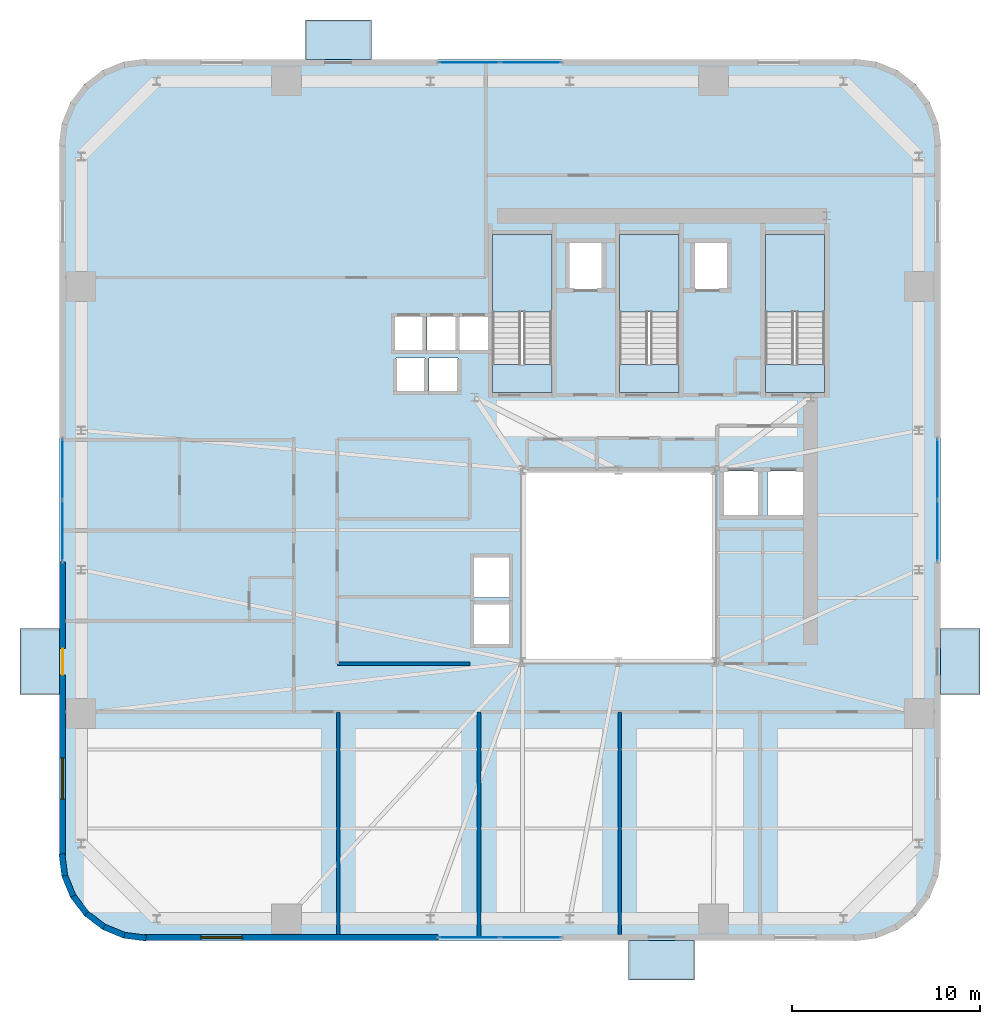
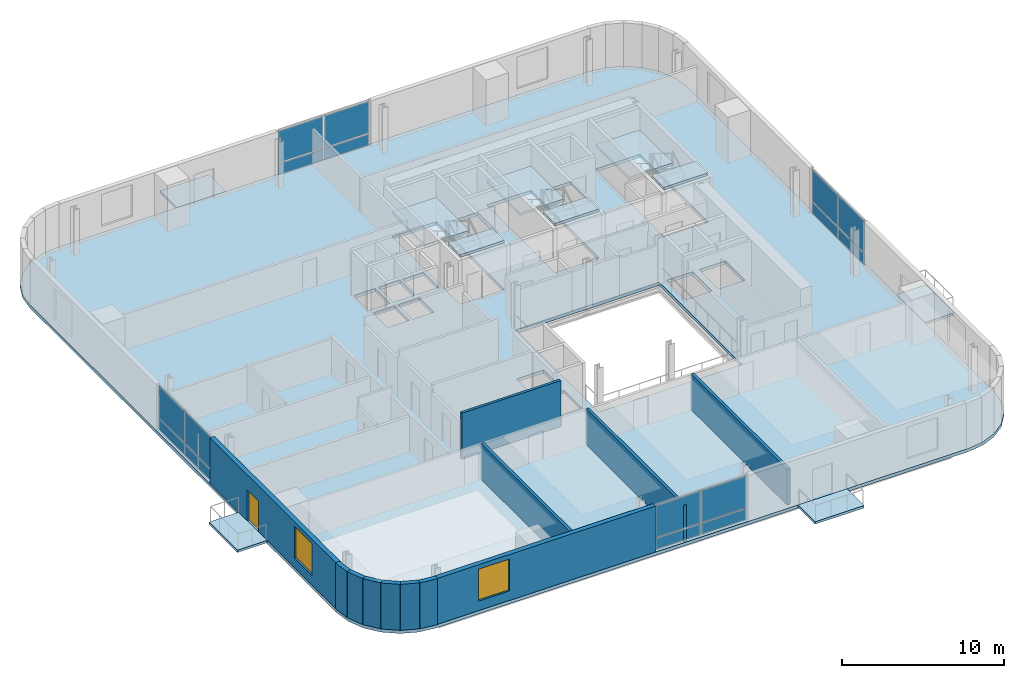
# One storey, part 5 of 13: 16 plates, 12 walls, 11 slabs, 2 windows, 1 door, 3 openings, 7 elements without a shape of their own.
"""IFC4 building model written with IfcOpenShell, lengths in metres."""

from ifc_helpers import new_model, si_unit, direction, frame, frame_2d, origin, origin_2d, place, context, subcontext, project, spatial, polyline, rectangle, outline, extrude, source, transform, mapped, material, layer, layer_set, type_object, element, fill, aggregate, save


model = new_model("IFC4")

# Units and contexts
model_context = context("Model", 3, precision=1e-05, world=origin(), true_north=direction((0.0, 1.0)))
body_context = subcontext(model_context, "Body", "Model", "MODEL_VIEW")
ifc_project = project(units=[si_unit("LENGTHUNIT", "METRE"), si_unit("AREAUNIT", "SQUARE_METRE"), si_unit("VOLUMEUNIT", "CUBIC_METRE"), si_unit("PLANEANGLEUNIT", "RADIAN"), si_unit("MASSUNIT", "GRAM", prefix="KILO")], contexts=[model_context])

# Site, building, storey
site_placement = place(None, origin())
site = spatial("IfcSite", under=ifc_project, at=site_placement, CompositionType="ELEMENT")
building_placement = place(site_placement, origin())
building = spatial("IfcBuilding", under=site, at=building_placement, Name="Vardaveli Station Tower", CompositionType="ELEMENT")
storey_placement = place(building_placement, frame((0.0, 0.0, 115.0)))
storey = spatial("IfcBuildingStorey", under=building, at=storey_placement, Name="L29", CompositionType="ELEMENT", Elevation=115.0)

# Stair, slabs
ifc_material_1 = material(Name="Concrete C40/50", Category="concrete")
stair_type = type_object("IfcStairType", Name="STR-CORE-1500", PredefinedType="HALF_TURN_STAIR", material=ifc_material_1)
stair_1_placement = place(storey_placement, origin())
stair_1 = element("IfcStair", 1, at=stair_1_placement, inside=storey, type_object=stair_type, Name="L29 ST-1", PredefinedType="HALF_TURN_STAIR")
ifc_layer_1 = layer(ifc_material_1, 0.199951171875, Name="Concrete C40/50")
ifc_layer_set_1 = layer_set([ifc_layer_1], Name="Concrete C40/50")
slab_type_1 = type_object("IfcSlabType", Name="SLB-LAND-200", PredefinedType="LANDING", material=ifc_layer_set_1)
slab_1_placement = place(storey_placement, frame((0.0, 0.0, 1.64990234375)))
slab_1 = element("IfcSlab", 2, at=slab_1_placement, type_object=slab_type_1, Name="ST-1 landing 1", PredefinedType="LANDING", context=body_context, shape_type="SweptSolid", body=[
    extrude(outline(polyline([(32.75, 35.199951171875), (32.75, 39.300048828125), (29.60009765625, 39.300048828125), (29.60009765625, 35.199951171875), (32.75, 35.199951171875)])), origin(), (0.0, 0.0, 1.0), 0.2001953125),
])
slab_2_placement = place(storey_placement, frame((0.0, 0.0, 3.5)))
slab_2 = element("IfcSlab", 3, at=slab_2_placement, type_object=slab_type_1, Name="ST-1 landing 2", PredefinedType="LANDING", context=body_context, shape_type="SweptSolid", body=[
    extrude(outline(polyline([(32.75, 30.89990234375), (32.75, 32.39990234375), (29.60009765625, 32.39990234375), (29.60009765625, 30.89990234375), (32.75, 30.89990234375)])), origin(), (0.0, 0.0, 1.0), 0.199951171875),
])
aggregate(stair_1, [slab_1, slab_2])

stair_2_placement = place(storey_placement, origin())
stair_2 = element("IfcStair", 4, at=stair_2_placement, inside=storey, type_object=stair_type, Name="L29 ST-2", PredefinedType="HALF_TURN_STAIR")
slab_3_placement = place(storey_placement, frame((0.0, 0.0, 1.64990234375)))
slab_3 = element("IfcSlab", 5, at=slab_3_placement, type_object=slab_type_1, Name="ST-2 landing 1", PredefinedType="LANDING", context=body_context, shape_type="SweptSolid", body=[
    extrude(outline(polyline([(39.5, 35.199951171875), (39.5, 39.300048828125), (36.35009765625, 39.300048828125), (36.35009765625, 35.199951171875), (39.5, 35.199951171875)])), origin(), (0.0, 0.0, 1.0), 0.2001953125),
])
slab_4_placement = place(storey_placement, frame((0.0, 0.0, 3.5)))
slab_4 = element("IfcSlab", 6, at=slab_4_placement, type_object=slab_type_1, Name="ST-2 landing 2", PredefinedType="LANDING", context=body_context, shape_type="SweptSolid", body=[
    extrude(outline(polyline([(39.5, 30.89990234375), (39.5, 32.39990234375), (36.35009765625, 32.39990234375), (36.35009765625, 30.89990234375), (39.5, 30.89990234375)])), origin(), (0.0, 0.0, 1.0), 0.199951171875),
])
aggregate(stair_2, [slab_3, slab_4])

stair_3_placement = place(storey_placement, origin())
stair_3 = element("IfcStair", 7, at=stair_3_placement, inside=storey, type_object=stair_type, Name="L29 ST-3", PredefinedType="HALF_TURN_STAIR")
slab_5_placement = place(storey_placement, frame((0.0, 0.0, 1.64990234375)))
slab_5 = element("IfcSlab", 8, at=slab_5_placement, type_object=slab_type_1, Name="ST-3 landing 1", PredefinedType="LANDING", context=body_context, shape_type="SweptSolid", body=[
    extrude(outline(polyline([(47.25, 35.199951171875), (47.25, 39.300048828125), (44.10009765625, 39.300048828125), (44.10009765625, 35.199951171875), (47.25, 35.199951171875)])), origin(), (0.0, 0.0, 1.0), 0.2001953125),
])
slab_6_placement = place(storey_placement, frame((0.0, 0.0, 3.5)))
slab_6 = element("IfcSlab", 9, at=slab_6_placement, type_object=slab_type_1, Name="ST-3 landing 2", PredefinedType="LANDING", context=body_context, shape_type="SweptSolid", body=[
    extrude(outline(polyline([(47.25, 30.89990234375), (47.25, 32.39990234375), (44.10009765625, 32.39990234375), (44.10009765625, 30.89990234375), (47.25, 30.89990234375)])), origin(), (0.0, 0.0, 1.0), 0.199951171875),
])
aggregate(stair_3, [slab_5, slab_6])

# Slabs
ifc_material_2 = material(Name="Precast concrete C45/55", Category="concrete")
ifc_layer_2 = layer(ifc_material_2, 0.179931640625, Name="Precast concrete C45/55")
ifc_layer_set_2 = layer_set([ifc_layer_2], Name="Precast concrete C45/55")
slab_type_2 = type_object("IfcSlabType", Name="SLB-LOGGIA-180", PredefinedType="FLOOR", material=ifc_layer_set_2)
slab_7_placement = place(storey_placement, frame((0.0, 0.0, -0.179931640625)))
element("IfcSlab", 10, at=slab_7_placement, inside=storey, type_object=slab_type_2, Name="LOG-L29-S", PredefinedType="FLOOR", context=body_context, shape_type="SweptSolid", body=[
    extrude(outline(polyline([(36.839599609375, -0.300048828125), (40.339599609375, -0.300048828125), (40.339599609375, 1.800048828125), (36.839599609375, 1.800048828125), (36.839599609375, -0.300048828125)])), origin(), (0.0, 0.0, 1.0), 0.179931640625),
])
slab_8_placement = place(storey_placement, frame((0.0, 0.0, -0.179931640625)))
element("IfcSlab", 11, at=slab_8_placement, inside=storey, type_object=slab_type_2, Name="LOG-L29-N", PredefinedType="FLOOR", context=body_context, shape_type="SweptSolid", body=[
    extrude(outline(polyline([(19.660400390625, 48.60009765625), (23.160400390625, 48.60009765625), (23.160400390625, 50.699951171875), (19.660400390625, 50.699951171875), (19.660400390625, 48.60009765625)])), origin(), (0.0, 0.0, 1.0), 0.179931640625),
])
slab_9_placement = place(storey_placement, frame((0.0, 0.0, -0.179931640625)))
element("IfcSlab", 12, at=slab_9_placement, inside=storey, type_object=slab_type_2, Name="LOG-L29-W", PredefinedType="FLOOR", context=body_context, shape_type="SweptSolid", body=[
    extrude(outline(polyline([(4.5, 14.8603515625), (6.60009765625, 14.8603515625), (6.60009765625, 18.3603515625), (4.5, 18.3603515625), (4.5, 14.8603515625)])), origin(), (0.0, 0.0, 1.0), 0.179931640625),
])
slab_10_placement = place(storey_placement, frame((0.0, 0.0, -0.179931640625)))
element("IfcSlab", 13, at=slab_10_placement, inside=storey, type_object=slab_type_2, Name="LOG-L29-E", PredefinedType="FLOOR", context=body_context, shape_type="SweptSolid", body=[
    extrude(outline(polyline([(53.39990234375, 14.8603515625), (55.5, 14.8603515625), (55.5, 18.3603515625), (53.39990234375, 18.3603515625), (53.39990234375, 14.8603515625)])), origin(), (0.0, 0.0, 1.0), 0.179931640625),
])
ifc_layer_3 = layer(ifc_material_1, 0.239990234375, Name="Concrete C40/50")
ifc_layer_set_3 = layer_set([ifc_layer_3], Name="Concrete C40/50")
slab_type_3 = type_object("IfcSlabType", Name="SLB-TOW-240", PredefinedType="FLOOR", material=ifc_layer_set_3)
slab_11_placement = place(storey_placement, frame((0.0, 0.0, -0.239990234375)))
element("IfcSlab", 14, at=slab_11_placement, inside=storey, type_object=slab_type_3, Name="SLB-L29-MAIN", PredefinedType="FLOOR", context=body_context, shape_type="SweptSolid", body=[
    extrude(outline(polyline([(6.60009765625, 6.300048828125), (6.75341796875, 5.13525390625), (7.202880859375, 4.050048828125), (7.91796875, 3.117919921875), (8.85009765625, 2.40283203125), (9.935302734375, 1.953369140625), (11.10009765625, 1.800048828125), (48.89990234375, 1.800048828125), (50.064697265625, 1.953369140625), (51.14990234375, 2.40283203125), (52.08203125, 3.117919921875), (52.797119140625, 4.050048828125), (53.24658203125, 5.13525390625), (53.39990234375, 6.300048828125), (53.39990234375, 44.10009765625), (53.24658203125, 45.2646484375), (52.797119140625, 46.35009765625), (52.08203125, 47.281982421875), (51.14990234375, 47.9970703125), (50.064697265625, 48.44677734375), (48.89990234375, 48.60009765625), (11.10009765625, 48.60009765625), (9.935302734375, 48.44677734375), (8.85009765625, 47.9970703125), (7.91796875, 47.281982421875), (7.202880859375, 46.35009765625), (6.75341796875, 45.2646484375), (6.60009765625, 44.10009765625), (6.60009765625, 6.300048828125)]), holes=[polyline([(31.199951171875, 16.60009765625), (41.39990234375, 16.60009765625), (41.39990234375, 26.800048828125), (31.199951171875, 26.800048828125), (31.199951171875, 16.60009765625)]), polyline([(32.75, 30.89990234375), (32.75, 39.300048828125), (29.60009765625, 39.300048828125), (29.60009765625, 30.89990234375), (32.75, 30.89990234375)]), polyline([(39.5, 30.89990234375), (39.5, 39.300048828125), (36.35009765625, 39.300048828125), (36.35009765625, 30.89990234375), (39.5, 30.89990234375)]), polyline([(47.25, 30.89990234375), (47.25, 39.300048828125), (44.10009765625, 39.300048828125), (44.10009765625, 30.89990234375), (47.25, 30.89990234375)]), polyline([(24.385009765625, 33.135009765625), (25.9150390625, 33.135009765625), (25.9150390625, 34.965087890625), (24.385009765625, 34.965087890625), (24.385009765625, 33.135009765625)]), polyline([(26.135009765625, 33.135009765625), (27.6650390625, 33.135009765625), (27.6650390625, 34.965087890625), (26.135009765625, 34.965087890625), (26.135009765625, 33.135009765625)]), polyline([(27.8349609375, 33.135009765625), (29.364990234375, 33.135009765625), (29.364990234375, 34.965087890625), (27.8349609375, 34.965087890625), (27.8349609375, 33.135009765625)]), polyline([(33.659912109375, 36.409912109375), (35.43994140625, 36.409912109375), (35.43994140625, 38.889892578125), (33.659912109375, 38.889892578125), (33.659912109375, 36.409912109375)]), polyline([(40.31005859375, 36.409912109375), (42.090087890625, 36.409912109375), (42.090087890625, 38.889892578125), (40.31005859375, 38.889892578125), (40.31005859375, 36.409912109375)]), polyline([(24.485107421875, 30.9599609375), (26.014892578125, 30.9599609375), (26.014892578125, 32.739990234375), (24.485107421875, 32.739990234375), (24.485107421875, 30.9599609375)]), polyline([(26.235107421875, 30.9599609375), (27.764892578125, 30.9599609375), (27.764892578125, 32.739990234375), (26.235107421875, 32.739990234375), (26.235107421875, 30.9599609375)]), polyline([(28.5849609375, 17.510009765625), (30.514892578125, 17.510009765625), (30.514892578125, 19.68994140625), (28.5849609375, 19.68994140625), (28.5849609375, 17.510009765625)]), polyline([(28.5849609375, 20.010009765625), (30.514892578125, 20.010009765625), (30.514892578125, 22.18994140625), (28.5849609375, 22.18994140625), (28.5849609375, 20.010009765625)]), polyline([(41.860107421875, 24.360107421875), (43.739990234375, 24.360107421875), (43.739990234375, 26.739990234375), (41.860107421875, 26.739990234375), (41.860107421875, 24.360107421875)]), polyline([(44.2099609375, 24.360107421875), (46.090087890625, 24.360107421875), (46.090087890625, 26.739990234375), (44.2099609375, 26.739990234375), (44.2099609375, 24.360107421875)])]), origin(), (0.0, 0.0, 1.0), 0.239990234375),
])

# Curtain wall, plates
ifc_material_3 = material(Name="Travertine stone and solar-control glass", Category="masonry")
curtain_wall_type = type_object("IfcCurtainWallType", Name="CW-SYS-2", PredefinedType="NOTDEFINED", material=ifc_material_3)
curtain_wall_1_placement = place(storey_placement, origin())
curtain_wall_1 = element("IfcCurtainWall", 15, at=curtain_wall_1_placement, inside=storey, type_object=curtain_wall_type, Name="CW-L29-S", PredefinedType="NOTDEFINED")
ifc_material_4 = material(Name="Double-glazed low-E solar-control glass", Category="glass")
ifc_layer_4 = layer(ifc_material_4, 0.035888671875, Name="Double-glazed low-E solar-control glass")
ifc_layer_set_4 = layer_set([ifc_layer_4], Name="Double-glazed low-E solar-control glass")
plate_type = type_object("IfcPlateType", Name="CW-SYS-2-PAN", PredefinedType="CURTAIN_PANEL", material=ifc_layer_set_4)
shared_shape_1 = source(origin(), body_context, "Body", "SweptSolid", [
    extrude(rectangle(XDim=3.172607421875, YDim=0.035888671875, at=origin_2d()), origin(), (0.0, 0.0, 1.0), 0.822509765625),
])
plate_1_placement = place(storey_placement, frame((28.371337890625, 1.9599609375, 0.0849609375), z_axis=(0.0, 0.0, 1.0), x_axis=(1.0, 0.0, 0.0)))
plate_1 = element("IfcPlate", 16, at=plate_1_placement, type_object=plate_type, Name="CW-2 panel 1.1", PredefinedType="CURTAIN_PANEL", context=body_context, shape_type="MappedRepresentation", body=[
    mapped(shared_shape_1, transform((0.0, 0.0, 0.0), scale=1.0)),
])
plate_2_placement = place(storey_placement, frame((31.628662109375, 1.9599609375, 0.0849609375), z_axis=(0.0, 0.0, 1.0), x_axis=(1.0, 0.0, 0.0)))
plate_2 = element("IfcPlate", 17, at=plate_2_placement, type_object=plate_type, Name="CW-2 panel 2.1", PredefinedType="CURTAIN_PANEL", context=body_context, shape_type="MappedRepresentation", body=[
    mapped(shared_shape_1, transform((0.0, 0.0, 0.0), scale=1.0)),
])

curtain_wall_2_placement = place(storey_placement, origin())
curtain_wall_2 = element("IfcCurtainWall", 18, at=curtain_wall_2_placement, inside=storey, type_object=curtain_wall_type, Name="CW-L29-N", PredefinedType="NOTDEFINED")
plate_3_placement = place(storey_placement, frame((31.628662109375, 48.43994140625, 0.0849609375), z_axis=(0.0, 0.0, 1.0), x_axis=(-1.0, 0.0, 0.0)))
plate_3 = element("IfcPlate", 19, at=plate_3_placement, type_object=plate_type, Name="CW-2 panel 1.1", PredefinedType="CURTAIN_PANEL", context=body_context, shape_type="MappedRepresentation", body=[
    mapped(shared_shape_1, transform((0.0, 0.0, 0.0), scale=1.0)),
])
plate_4_placement = place(storey_placement, frame((28.371337890625, 48.43994140625, 0.0849609375), z_axis=(0.0, 0.0, 1.0), x_axis=(-1.0, 0.0, 0.0)))
plate_4 = element("IfcPlate", 20, at=plate_4_placement, type_object=plate_type, Name="CW-2 panel 2.1", PredefinedType="CURTAIN_PANEL", context=body_context, shape_type="MappedRepresentation", body=[
    mapped(shared_shape_1, transform((0.0, 0.0, 0.0), scale=1.0)),
])

curtain_wall_3_placement = place(storey_placement, origin())
curtain_wall_3 = element("IfcCurtainWall", 21, at=curtain_wall_3_placement, inside=storey, type_object=curtain_wall_type, Name="CW-L29-W", PredefinedType="NOTDEFINED")
plate_5_placement = place(storey_placement, frame((6.760009765625, 26.828857421875, 0.0849609375), z_axis=(0.0, 0.0, 1.0), x_axis=(0.0, -1.0, 0.0)))
plate_5 = element("IfcPlate", 22, at=plate_5_placement, type_object=plate_type, Name="CW-2 panel 1.1", PredefinedType="CURTAIN_PANEL", context=body_context, shape_type="MappedRepresentation", body=[
    mapped(shared_shape_1, transform((0.0, 0.0, 0.0), scale=1.0)),
])
plate_6_placement = place(storey_placement, frame((6.760009765625, 23.5712890625, 0.0849609375), z_axis=(0.0, 0.0, 1.0), x_axis=(0.0, -1.0, 0.0)))
plate_6 = element("IfcPlate", 23, at=plate_6_placement, type_object=plate_type, Name="CW-2 panel 2.1", PredefinedType="CURTAIN_PANEL", context=body_context, shape_type="MappedRepresentation", body=[
    mapped(shared_shape_1, transform((0.0, 0.0, 0.0), scale=1.0)),
])

curtain_wall_4_placement = place(storey_placement, origin())
curtain_wall_4 = element("IfcCurtainWall", 24, at=curtain_wall_4_placement, inside=storey, type_object=curtain_wall_type, Name="CW-L29-E", PredefinedType="NOTDEFINED")
plate_7_placement = place(storey_placement, frame((53.239990234375, 23.5712890625, 0.0849609375), z_axis=(0.0, 0.0, 1.0), x_axis=(0.0, 1.0, 0.0)))
plate_7 = element("IfcPlate", 25, at=plate_7_placement, type_object=plate_type, Name="CW-2 panel 1.1", PredefinedType="CURTAIN_PANEL", context=body_context, shape_type="MappedRepresentation", body=[
    mapped(shared_shape_1, transform((0.0, 0.0, 0.0), scale=1.0)),
])
plate_8_placement = place(storey_placement, frame((53.239990234375, 26.828857421875, 0.0849609375), z_axis=(0.0, 0.0, 1.0), x_axis=(0.0, 1.0, 0.0)))
plate_8 = element("IfcPlate", 26, at=plate_8_placement, type_object=plate_type, Name="CW-2 panel 2.1", PredefinedType="CURTAIN_PANEL", context=body_context, shape_type="MappedRepresentation", body=[
    mapped(shared_shape_1, transform((0.0, 0.0, 0.0), scale=1.0)),
])

# Plate
shared_shape_2 = source(origin(), body_context, "Body", "SweptSolid", [
    extrude(rectangle(XDim=3.172607421875, YDim=0.035888671875, at=origin_2d()), origin(), (0.0, 0.0, 1.0), 2.382568359375),
])
plate_9_placement = place(storey_placement, frame((28.371337890625, 1.9599609375, 0.99267578125), z_axis=(0.0, 0.0, 1.0), x_axis=(1.0, 0.0, 0.0)))
plate_9 = element("IfcPlate", 27, at=plate_9_placement, type_object=plate_type, Name="CW-2 panel 1.2", PredefinedType="CURTAIN_PANEL", context=body_context, shape_type="MappedRepresentation", body=[
    mapped(shared_shape_2, transform((0.0, 0.0, 0.0), scale=1.0)),
])

plate_10_placement = place(storey_placement, frame((31.628662109375, 1.9599609375, 0.99267578125), z_axis=(0.0, 0.0, 1.0), x_axis=(1.0, 0.0, 0.0)))
plate_10 = element("IfcPlate", 28, at=plate_10_placement, type_object=plate_type, Name="CW-2 panel 2.2", PredefinedType="CURTAIN_PANEL", context=body_context, shape_type="MappedRepresentation", body=[
    mapped(shared_shape_2, transform((0.0, 0.0, 0.0), scale=1.0)),
])

aggregate(curtain_wall_1, [plate_1, plate_9, plate_2, plate_10])

plate_11_placement = place(storey_placement, frame((31.628662109375, 48.43994140625, 0.99267578125), z_axis=(0.0, 0.0, 1.0), x_axis=(-1.0, 0.0, 0.0)))
plate_11 = element("IfcPlate", 29, at=plate_11_placement, type_object=plate_type, Name="CW-2 panel 1.2", PredefinedType="CURTAIN_PANEL", context=body_context, shape_type="MappedRepresentation", body=[
    mapped(shared_shape_2, transform((0.0, 0.0, 0.0), scale=1.0)),
])

plate_12_placement = place(storey_placement, frame((28.371337890625, 48.43994140625, 0.99267578125), z_axis=(0.0, 0.0, 1.0), x_axis=(-1.0, 0.0, 0.0)))
plate_12 = element("IfcPlate", 30, at=plate_12_placement, type_object=plate_type, Name="CW-2 panel 2.2", PredefinedType="CURTAIN_PANEL", context=body_context, shape_type="MappedRepresentation", body=[
    mapped(shared_shape_2, transform((0.0, 0.0, 0.0), scale=1.0)),
])

aggregate(curtain_wall_2, [plate_3, plate_11, plate_4, plate_12])

plate_13_placement = place(storey_placement, frame((6.760009765625, 26.828857421875, 0.99267578125), z_axis=(0.0, 0.0, 1.0), x_axis=(0.0, -1.0, 0.0)))
plate_13 = element("IfcPlate", 31, at=plate_13_placement, type_object=plate_type, Name="CW-2 panel 1.2", PredefinedType="CURTAIN_PANEL", context=body_context, shape_type="MappedRepresentation", body=[
    mapped(shared_shape_2, transform((0.0, 0.0, 0.0), scale=1.0)),
])

plate_14_placement = place(storey_placement, frame((6.760009765625, 23.5712890625, 0.99267578125), z_axis=(0.0, 0.0, 1.0), x_axis=(0.0, -1.0, 0.0)))
plate_14 = element("IfcPlate", 32, at=plate_14_placement, type_object=plate_type, Name="CW-2 panel 2.2", PredefinedType="CURTAIN_PANEL", context=body_context, shape_type="MappedRepresentation", body=[
    mapped(shared_shape_2, transform((0.0, 0.0, 0.0), scale=1.0)),
])

aggregate(curtain_wall_3, [plate_5, plate_13, plate_6, plate_14])

plate_15_placement = place(storey_placement, frame((53.239990234375, 23.5712890625, 0.99267578125), z_axis=(0.0, 0.0, 1.0), x_axis=(0.0, 1.0, 0.0)))
plate_15 = element("IfcPlate", 33, at=plate_15_placement, type_object=plate_type, Name="CW-2 panel 1.2", PredefinedType="CURTAIN_PANEL", context=body_context, shape_type="MappedRepresentation", body=[
    mapped(shared_shape_2, transform((0.0, 0.0, 0.0), scale=1.0)),
])

plate_16_placement = place(storey_placement, frame((53.239990234375, 26.828857421875, 0.99267578125), z_axis=(0.0, 0.0, 1.0), x_axis=(0.0, 1.0, 0.0)))
plate_16 = element("IfcPlate", 34, at=plate_16_placement, type_object=plate_type, Name="CW-2 panel 2.2", PredefinedType="CURTAIN_PANEL", context=body_context, shape_type="MappedRepresentation", body=[
    mapped(shared_shape_2, transform((0.0, 0.0, 0.0), scale=1.0)),
])

aggregate(curtain_wall_4, [plate_7, plate_15, plate_8, plate_16])

# Wall, opening, window
ifc_layer_5 = layer(ifc_material_2, 0.320068359375, Name="Precast concrete C45/55")
ifc_layer_set_5 = layer_set([ifc_layer_5], Name="Precast concrete C45/55")
wall_type_1 = type_object("IfcWallType", Name="WAL-EXT-STONE-320", PredefinedType="SOLIDWALL", material=ifc_layer_set_5)
shared_shape_3 = source(origin(), body_context, "Body", "SweptSolid", [
    extrude(rectangle(XDim=15.599853515625, YDim=0.320068359375, at=frame_2d((7.7998046875, 0.0))), origin(), (0.0, 0.0, 1.0), 3.4599609375),
])
wall_1_placement = place(storey_placement, frame((11.10009765625, 1.9599609375, 0.0), z_axis=(0.0, 0.0, 1.0), x_axis=(1.0, 0.0, 0.0)))
wall_1 = element("IfcWall", 35, at=wall_1_placement, inside=storey, type_object=wall_type_1, Name="EW-L29-S1", PredefinedType="SOLIDWALL", context=body_context, shape_type="MappedRepresentation", body=[
    mapped(shared_shape_3, transform((0.0, 0.0, 0.0), scale=1.0)),
])
shared_shape_4 = source(origin(), body_context, "Body", "SweptSolid", [
    extrude(rectangle(XDim=2.199951171875, YDim=2.39990234375, at=frame_2d((1.10009765625, 1.199951171875))), frame((0.0, 0.169921875, 0.0), z_axis=(0.0, -1.0, 0.0), x_axis=(1.0, 0.0, 0.0)), (0.0, 0.0, 1.0), 0.340087890625),
])
opening_1_placement = place(wall_1_placement, frame((3.0048828125, 0.0, 0.719970703125)))
opening_1 = element("IfcOpeningElement", 36, at=opening_1_placement, cuts=wall_1, Name="Opening W-03", PredefinedType="OPENING", context=body_context, shape_type="MappedRepresentation", body=[
    mapped(shared_shape_4, transform((0.0, 0.0, 0.0), scale=1.0)),
])
ifc_material_5 = material(Name="Low-E solar-control glass", Category="glass")
window_type = type_object("IfcWindowType", Name="WIN-LOG-2200x2400", PartitioningType="SINGLE_PANEL", PredefinedType="WINDOW", material=ifc_material_5)
shared_shape_5 = source(origin(), body_context, "Body", "SweptSolid", [
    extrude(rectangle(XDim=2.199951171875, YDim=2.39990234375, at=frame_2d((1.10009765625, 1.199951171875))), frame((0.0, 0.030029296875, 0.0), z_axis=(0.0, -1.0, 0.0), x_axis=(1.0, 0.0, 0.0)), (0.0, 0.0, 1.0), 0.06005859375),
])
window_1_placement = place(opening_1_placement, origin())
window_1 = element("IfcWindow", 37, at=window_1_placement, inside=storey, type_object=window_type, Name="WN-L29-S1", OverallHeight=2.39990234375, OverallWidth=2.199951171875, PartitioningType="SINGLE_PANEL", PredefinedType="WINDOW", context=body_context, shape_type="MappedRepresentation", body=[
    mapped(shared_shape_5, transform((0.0, 0.0, 0.0), scale=1.0)),
])
fill(opening_1, window_1)

# Wall, openings, door, window
wall_2_placement = place(storey_placement, frame((6.760009765625, 21.89990234375, 0.0), z_axis=(0.0, 0.0, 1.0), x_axis=(0.0, -1.0, 0.0)))
wall_2 = element("IfcWall", 38, at=wall_2_placement, inside=storey, type_object=wall_type_1, Name="EW-L29-W2", PredefinedType="SOLIDWALL", context=body_context, shape_type="MappedRepresentation", body=[
    mapped(shared_shape_3, transform((0.0, 0.0, 0.0), scale=1.0)),
])
shared_shape_6 = source(origin(), body_context, "Body", "SweptSolid", [
    extrude(rectangle(XDim=1.39990234375, YDim=2.300048828125, at=frame_2d((0.699951171875, 1.14990234375))), frame((0.0, 0.169921875, 0.0), z_axis=(0.0, -1.0, 0.0), x_axis=(1.0, 0.0, 0.0)), (0.0, 0.0, 1.0), 0.340087890625),
])
opening_2_placement = place(wall_2_placement, frame((4.589599609375, 0.0, 0.0)))
opening_2 = element("IfcOpeningElement", 39, at=opening_2_placement, cuts=wall_2, Name="Opening D-09", PredefinedType="OPENING", context=body_context, shape_type="MappedRepresentation", body=[
    mapped(shared_shape_6, transform((0.0, 0.0, 0.0), scale=1.0)),
])
opening_3_placement = place(wall_2_placement, frame((10.39501953125, 0.0, 0.719970703125)))
opening_3 = element("IfcOpeningElement", 40, at=opening_3_placement, cuts=wall_2, Name="Opening W-03", PredefinedType="OPENING", context=body_context, shape_type="MappedRepresentation", body=[
    mapped(shared_shape_4, transform((0.0, 0.0, 0.0), scale=1.0)),
])
ifc_material_6 = material(Name="Thermally broken aluminium glass", Category="aluminium")
door_type = type_object("IfcDoorType", Name="DR-LOG-1400x2300", OperationType="DOUBLE_DOOR_SLIDING", PredefinedType="DOOR", material=ifc_material_6)
shared_shape_7 = source(origin(), body_context, "Body", "SweptSolid", [
    extrude(rectangle(XDim=1.39990234375, YDim=2.300048828125, at=frame_2d((0.699951171875, 1.14990234375))), frame((0.0, 0.02490234375, 0.0), z_axis=(0.0, -1.0, 0.0), x_axis=(1.0, 0.0, 0.0)), (0.0, 0.0, 1.0), 0.050048828125),
])
door_placement = place(opening_2_placement, frame((1.39990234375, 0.0, 0.0), z_axis=(0.0, 0.0, 1.0), x_axis=(-1.0, 0.0, 0.0)))
door = element("IfcDoor", 41, at=door_placement, inside=storey, type_object=door_type, Name="DLG-L29-W", OperationType="DOUBLE_DOOR_SLIDING", OverallHeight=2.300048828125, OverallWidth=1.39990234375, PredefinedType="DOOR", context=body_context, shape_type="MappedRepresentation", body=[
    mapped(shared_shape_7, transform((0.0, 0.0, 0.0), scale=1.0)),
])
fill(opening_2, door)
window_2_placement = place(opening_3_placement, origin())
window_2 = element("IfcWindow", 42, at=window_2_placement, inside=storey, type_object=window_type, Name="WN-L29-W2", OverallHeight=2.39990234375, OverallWidth=2.199951171875, PartitioningType="SINGLE_PANEL", PredefinedType="WINDOW", context=body_context, shape_type="MappedRepresentation", body=[
    mapped(shared_shape_5, transform((0.0, 0.0, 0.0), scale=1.0)),
])
fill(opening_3, window_2)

# Walls
shared_shape_8 = source(origin(), body_context, "Body", "SweptSolid", [
    extrude(rectangle(XDim=1.170654296875, YDim=0.320068359375, at=frame_2d((0.58544921875, 0.0))), origin(), (0.0, 0.0, 1.0), 3.4599609375),
])
wall_3_placement = place(storey_placement, frame((6.724365234375, 6.400634765625, 0.0), z_axis=(0.0, 0.0, 1.0), x_axis=(0.128269133229, -0.991739395941, 0.0)))
element("IfcWall", 43, at=wall_3_placement, inside=storey, type_object=wall_type_1, Name="EW-L29-CR1-1", PredefinedType="SOLIDWALL", context=body_context, shape_type="MappedRepresentation", body=[
    mapped(shared_shape_8, transform((0.0, 0.0, 0.0), scale=1.0)),
])
shared_shape_9 = source(origin(), body_context, "Body", "SweptSolid", [
    extrude(rectangle(XDim=1.1689453125, YDim=0.320068359375, at=frame_2d((0.58447265625, 0.0))), origin(), (0.0, 0.0, 1.0), 3.4599609375),
])
for number, where, z_axis, x_axis, name in (
    (44, (6.87451171875, 5.23974609375, 0.0), (0.0, 0.0, 1.0), (0.381127904695, -0.924522320046, 0.0), "EW-L29-CR1-2"),
    (45, (7.320068359375, 4.158935546875, 0.0), (0.0, 0.0, 1.0), (0.608387696831, -0.793639975269, 0.0), "EW-L29-CR1-3"),
):
    element("IfcWall", number, at=place(storey_placement, frame(where, z_axis=z_axis, x_axis=x_axis)), inside=storey, type_object=wall_type_1, Name=name, PredefinedType="SOLIDWALL", context=body_context, shape_type="MappedRepresentation", body=[
        mapped(shared_shape_9, transform((0.0, 0.0, 0.0), scale=1.0)),
    ])
shared_shape_10 = source(origin(), body_context, "Body", "SweptSolid", [
    extrude(rectangle(XDim=1.168701171875, YDim=0.320068359375, at=frame_2d((0.58447265625, 0.0))), origin(), (0.0, 0.0, 1.0), 3.4599609375),
])
wall_4_placement = place(storey_placement, frame((8.03125, 3.231201171875, 0.0), z_axis=(0.0, 0.0, 1.0), x_axis=(0.793663520347, -0.608356981114, 0.0)))
element("IfcWall", 46, at=wall_4_placement, inside=storey, type_object=wall_type_1, Name="EW-L29-CR1-4", PredefinedType="SOLIDWALL", context=body_context, shape_type="MappedRepresentation", body=[
    mapped(shared_shape_10, transform((0.0, 0.0, 0.0), scale=1.0)),
])
shared_shape_11 = source(origin(), body_context, "Body", "SweptSolid", [
    extrude(rectangle(XDim=1.16943359375, YDim=0.320068359375, at=frame_2d((0.584716796875, 0.0))), origin(), (0.0, 0.0, 1.0), 3.4599609375),
])
wall_5_placement = place(storey_placement, frame((8.958740234375, 2.520263671875, 0.0), z_axis=(0.0, 0.0, 1.0), x_axis=(0.924479075121, -0.381232789334, 0.0)))
element("IfcWall", 47, at=wall_5_placement, inside=storey, type_object=wall_type_1, Name="EW-L29-CR1-5", PredefinedType="SOLIDWALL", context=body_context, shape_type="MappedRepresentation", body=[
    mapped(shared_shape_11, transform((0.0, 0.0, 0.0), scale=1.0)),
])
shared_shape_12 = source(origin(), body_context, "Body", "SweptSolid", [
    extrude(rectangle(XDim=1.170166015625, YDim=0.320068359375, at=frame_2d((0.5849609375, 0.0))), origin(), (0.0, 0.0, 1.0), 3.4599609375),
])
wall_6_placement = place(storey_placement, frame((10.039794921875, 2.074462890625, 0.0), z_axis=(0.0, 0.0, 1.0), x_axis=(0.991762485493, -0.128090485085, 0.0)))
element("IfcWall", 48, at=wall_6_placement, inside=storey, type_object=wall_type_1, Name="EW-L29-CR1-6", PredefinedType="SOLIDWALL", context=body_context, shape_type="MappedRepresentation", body=[
    mapped(shared_shape_12, transform((0.0, 0.0, 0.0), scale=1.0)),
])
ifc_material_7 = material(Name="Acoustic twin-stud gypsum partition")
ifc_layer_6 = layer(ifc_material_7, 0.199951171875, Name="Acoustic twin-stud gypsum partition")
ifc_layer_set_6 = layer_set([ifc_layer_6], Name="Acoustic twin-stud gypsum partition")
wall_type_2 = type_object("IfcWallType", Name="WAL-PARTY-200", PredefinedType="PARTITIONING", material=ifc_layer_set_6)
shared_shape_13 = source(origin(), body_context, "Body", "SweptSolid", [
    extrude(rectangle(XDim=11.827880859375, YDim=0.199951171875, at=frame_2d((5.9140625, 0.0))), origin(), (0.0, 0.0, 1.0), 2.701904296875),
])
for number, where, z_axis, x_axis, name in (
    (49, (21.409912109375, 2.1220703125, 0.0), (0.0, 0.0, 1.0), (0.0, 1.0, 0.0), "W-L29-PS1"),
    (50, (36.35693359375, 2.1220703125, 0.0), (0.0, 0.0, 1.0), (0.0, 1.0, 0.0), "W-L29-PS3"),
):
    element("IfcWall", number, at=place(storey_placement, frame(where, z_axis=z_axis, x_axis=x_axis)), inside=storey, type_object=wall_type_2, Name=name, PredefinedType="PARTITIONING", context=body_context, shape_type="MappedRepresentation", body=[
        mapped(shared_shape_13, transform((0.0, 0.0, 0.0), scale=1.0)),
    ])
shared_shape_14 = source(origin(), body_context, "Body", "SweptSolid", [
    extrude(rectangle(XDim=12.02001953125, YDim=0.199951171875, at=frame_2d((6.010009765625, 0.0))), origin(), (0.0, 0.0, 1.0), 2.701904296875),
])
wall_7_placement = place(storey_placement, frame((28.883056640625, 1.929931640625, 0.0), z_axis=(0.0, 0.0, 1.0), x_axis=(0.0, 1.0, 0.0)))
element("IfcWall", 51, at=wall_7_placement, inside=storey, type_object=wall_type_2, Name="W-L29-PS2", PredefinedType="PARTITIONING", context=body_context, shape_type="MappedRepresentation", body=[
    mapped(shared_shape_14, transform((0.0, 0.0, 0.0), scale=1.0)),
])
ifc_material_8 = material(Name="Fire-rated gypsum stud partition")
ifc_layer_7 = layer(ifc_material_8, 0.179931640625, Name="Fire-rated gypsum stud partition")
ifc_layer_set_7 = layer_set([ifc_layer_7], Name="Fire-rated gypsum stud partition")
wall_type_3 = type_object("IfcWallType", Name="WAL-CORR-180", PredefinedType="PARTITIONING", material=ifc_layer_set_7)
shared_shape_15 = source(origin(), body_context, "Body", "SweptSolid", [
    extrude(rectangle(XDim=7.039794921875, YDim=0.179931640625, at=frame_2d((3.52001953125, 0.0))), origin(), (0.0, 0.0, 1.0), 3.4599609375),
])
wall_8_placement = place(storey_placement, frame((21.360107421875, 16.5, 0.0), z_axis=(0.0, 0.0, 1.0), x_axis=(1.0, 0.0, 0.0)))
element("IfcWall", 52, at=wall_8_placement, inside=storey, type_object=wall_type_3, Name="W-L29-ATWA-S", PredefinedType="PARTITIONING", context=body_context, shape_type="MappedRepresentation", body=[
    mapped(shared_shape_15, transform((0.0, 0.0, 0.0), scale=1.0)),
])

save(model, "model.ifc")
